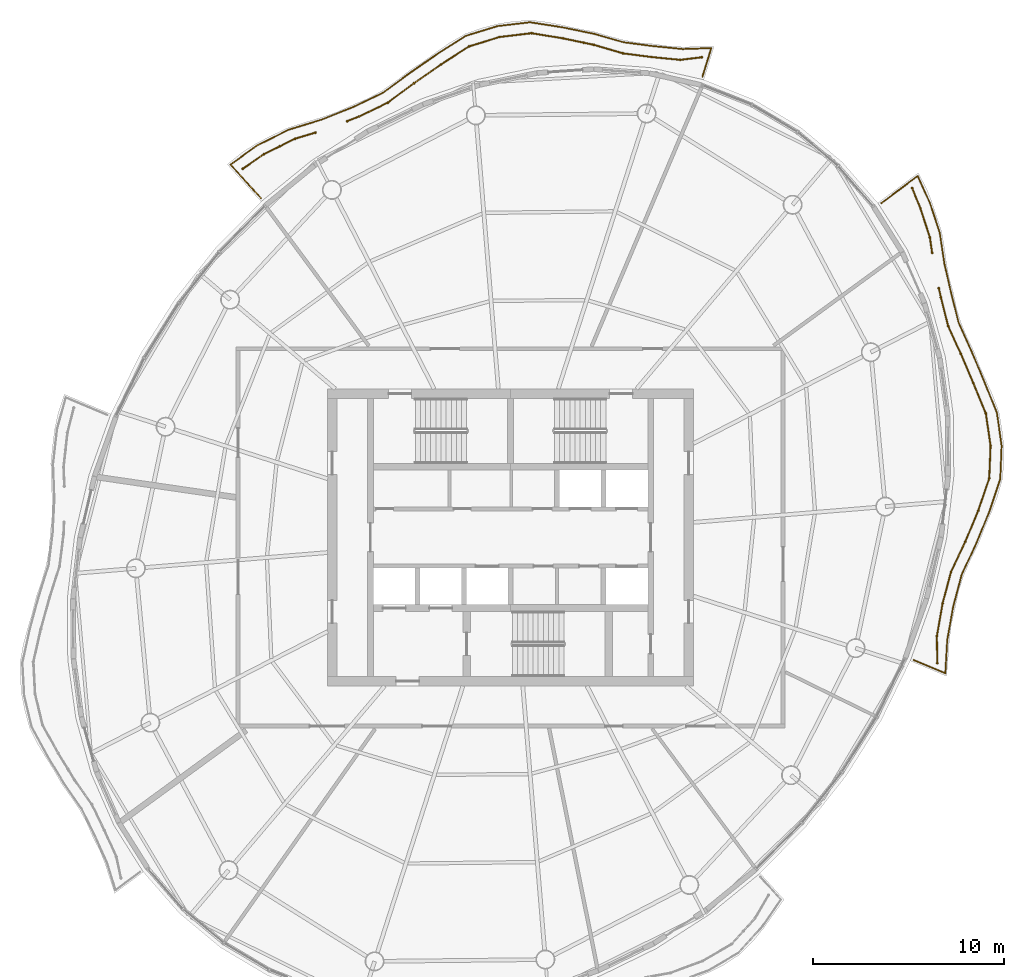
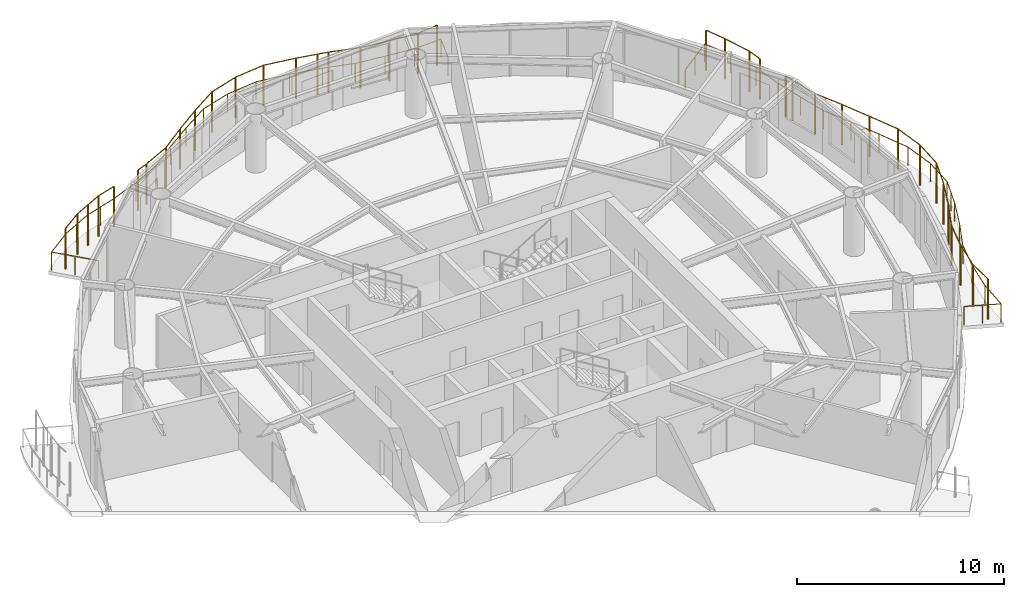
# One storey, part 14 of 14: 7 railings.
"""IFC4 building model written with IfcOpenShell, lengths in metres."""

from ifc_helpers import new_model, si_unit, direction, frame, origin, origin_2d, place, context, subcontext, project, spatial, circle, extrude, material, type_object, element, save


model = new_model("IFC4")

# Units and contexts
model_context = context("Model", 3, precision=1e-05, world=origin(), true_north=direction((0.0, 1.0)))
body_context = subcontext(model_context, "Body", "Model", "MODEL_VIEW")
ifc_project = project(units=[si_unit("LENGTHUNIT", "METRE"), si_unit("AREAUNIT", "SQUARE_METRE"), si_unit("VOLUMEUNIT", "CUBIC_METRE"), si_unit("PLANEANGLEUNIT", "RADIAN"), si_unit("MASSUNIT", "GRAM", prefix="KILO")], contexts=[model_context])

# Site, building, storey
site_placement = place(None, origin())
site = spatial("IfcSite", under=ifc_project, at=site_placement, CompositionType="ELEMENT")
building_placement = place(site_placement, origin())
building = spatial("IfcBuilding", under=site, at=building_placement, Name="Vermilion Reach Broadcast Tower", CompositionType="ELEMENT")
storey_placement = place(building_placement, frame((0.0, 0.0, 254.10009765625)))
storey = spatial("IfcBuildingStorey", under=building, at=storey_placement, Name="L62", CompositionType="ELEMENT", Elevation=254.10009765625)

# Railings
ifc_material_1 = material(Name="Terracotta baguette", Category="masonry")
railing_type_1 = type_object("IfcRailingType", Name="BAGUETTE SCREEN", PredefinedType="USERDEFINED", material=ifc_material_1)
railing_1_placement = place(storey_placement, frame((4.039794921875, 25.199462890625, 0.0)))
element("IfcRailing", 1, at=railing_1_placement, inside=storey, type_object=railing_type_1, Name="Baguette screen L62 group 1 part 1", ObjectType="BAGUETTE SCREEN", PredefinedType="USERDEFINED", context=body_context, shape_type="SweptSolid", body=[
    extrude(circle(Radius=0.030029296875, at=origin_2d()), frame((0.0, 0.0, 2.369873046875), z_axis=(-0.993009579326, -0.118033789092, 0.0), x_axis=(0.118033789092, -0.993009579326, 0.0)), (0.0, 0.0, 1.0), 1.152099609375),
    extrude(circle(Radius=0.030029296875, at=origin_2d()), frame((-1.14404296875, -0.135986328125, 2.369873046875), z_axis=(-0.995150822611, 0.098360765836, 0.0), x_axis=(-0.098360765836, -0.995150822611, 0.0)), (0.0, 0.0, 1.0), 1.501708984375),
    extrude(circle(Radius=0.030029296875, at=origin_2d()), frame((-2.638427734375, 0.01171875, 2.369873046875), z_axis=(-0.991822443646, 0.127625390421, 0.0), x_axis=(-0.127625390421, -0.991822443646, 0.0)), (0.0, 0.0, 1.0), 1.522705078125),
    extrude(circle(Radius=0.030029296875, at=origin_2d()), frame((-4.148681640625, 0.2060546875, 2.369873046875), z_axis=(-0.959764778915, 0.280805215682, 0.0), x_axis=(-0.280805215682, -0.959764778915, 0.0)), (0.0, 0.0, 1.0), 1.583251953125),
    extrude(circle(Radius=0.030029296875, at=origin_2d()), frame((-5.668212890625, 0.650634765625, 2.369873046875), z_axis=(-0.978236823349, 0.207491487643, 0.0), x_axis=(-0.207491487643, -0.978236823349, 0.0)), (0.0, 0.0, 1.0), 0.556640625),
    extrude(circle(Radius=0.050048828125, at=origin_2d()), origin(), (0.0, 0.0, 1.0), 2.33984375),
    extrude(circle(Radius=0.050048828125, at=origin_2d()), frame((-1.14404296875, -0.135986328125, 0.0)), (0.0, 0.0, 1.0), 2.33984375),
    extrude(circle(Radius=0.050048828125, at=origin_2d()), frame((-2.638427734375, 0.01171875, 0.0)), (0.0, 0.0, 1.0), 2.33984375),
    extrude(circle(Radius=0.050048828125, at=origin_2d()), frame((-4.148681640625, 0.2060546875, 0.0)), (0.0, 0.0, 1.0), 2.33984375),
    extrude(circle(Radius=0.050048828125, at=origin_2d()), frame((-5.668212890625, 0.650634765625, 0.0)), (0.0, 0.0, 1.0), 2.33984375),
    extrude(circle(Radius=0.050048828125, at=origin_2d()), frame((-6.212646484375, 0.76611328125, 0.0)), (0.0, 0.0, 1.0), 2.33984375),
])
railing_2_placement = place(storey_placement, frame((-2.18017578125, 25.967041015625, 0.0)))
element("IfcRailing", 2, at=railing_2_placement, inside=storey, type_object=railing_type_1, Name="Baguette screen L62 group 1 part 2", ObjectType="BAGUETTE SCREEN", PredefinedType="USERDEFINED", context=body_context, shape_type="SweptSolid", body=[
    extrude(circle(Radius=0.030029296875, at=origin_2d()), frame((0.0, 0.0, 2.369873046875), z_axis=(-0.978199475024, 0.207667491589, 0.0), x_axis=(-0.207667491589, -0.978199475024, 0.0)), (0.0, 0.0, 1.0), 1.083984375),
    extrude(circle(Radius=0.030029296875, at=origin_2d()), frame((-1.060302734375, 0.22509765625, 2.369873046875), z_axis=(-0.987102378471, 0.160090269586, 0.0), x_axis=(-0.160090269586, -0.987102378471, 0.0)), (0.0, 0.0, 1.0), 1.68212890625),
    extrude(circle(Radius=0.030029296875, at=origin_2d()), frame((-2.720703125, 0.494384765625, 2.369873046875), z_axis=(-0.993152582931, -0.116824428173, 0.0), x_axis=(0.116824428173, -0.993152582931, 0.0)), (0.0, 0.0, 1.0), 1.684326171875),
    extrude(circle(Radius=0.030029296875, at=origin_2d()), frame((-4.3935546875, 0.297607421875, 2.369873046875), z_axis=(-0.955283934346, -0.295690048497, 0.0), x_axis=(0.295690048497, -0.955283934346, 0.0)), (0.0, 0.0, 1.0), 1.678466796875),
    extrude(circle(Radius=0.030029296875, at=origin_2d()), frame((-5.9970703125, -0.19873046875, 2.369873046875), z_axis=(-0.842001870621, -0.539474605399, 0.0), x_axis=(0.539474605399, -0.842001870621, 0.0)), (0.0, 0.0, 1.0), 1.760986328125),
    extrude(circle(Radius=0.030029296875, at=origin_2d()), frame((-7.479736328125, -1.148681640625, 2.369873046875), z_axis=(-0.820319328101, -0.571905761418, 0.0), x_axis=(0.571905761418, -0.820319328101, 0.0)), (0.0, 0.0, 1.0), 1.717041015625),
    extrude(circle(Radius=0.030029296875, at=origin_2d()), frame((-8.88818359375, -2.130615234375, 2.369873046875), z_axis=(-0.803396122972, -0.59544493414, 0.0), x_axis=(0.59544493414, -0.803396122972, 0.0)), (0.0, 0.0, 1.0), 1.71875),
    extrude(circle(Radius=0.030029296875, at=origin_2d()), frame((-10.26904296875, -3.154052734375, 2.369873046875), z_axis=(-0.901335865011, -0.433120835847, 0.0), x_axis=(0.433120835847, -0.901335865011, 0.0)), (0.0, 0.0, 1.0), 1.669677734375),
    extrude(circle(Radius=0.030029296875, at=origin_2d()), frame((-11.77392578125, -3.877197265625, 2.369873046875), z_axis=(-0.929709912471, -0.368292653541, 0.0), x_axis=(0.368292653541, -0.929709912471, 0.0)), (0.0, 0.0, 1.0), 0.666259765625),
    extrude(circle(Radius=0.050048828125, at=origin_2d()), origin(), (0.0, 0.0, 1.0), 2.33984375),
    extrude(circle(Radius=0.050048828125, at=origin_2d()), frame((-1.060302734375, 0.22509765625, 0.0)), (0.0, 0.0, 1.0), 2.33984375),
    extrude(circle(Radius=0.050048828125, at=origin_2d()), frame((-2.720703125, 0.494384765625, 0.0)), (0.0, 0.0, 1.0), 2.33984375),
    extrude(circle(Radius=0.050048828125, at=origin_2d()), frame((-4.3935546875, 0.297607421875, 0.0)), (0.0, 0.0, 1.0), 2.33984375),
    extrude(circle(Radius=0.050048828125, at=origin_2d()), frame((-5.9970703125, -0.19873046875, 0.0)), (0.0, 0.0, 1.0), 2.33984375),
    extrude(circle(Radius=0.050048828125, at=origin_2d()), frame((-7.479736328125, -1.148681640625, 0.0)), (0.0, 0.0, 1.0), 2.33984375),
    extrude(circle(Radius=0.050048828125, at=origin_2d()), frame((-8.88818359375, -2.130615234375, 0.0)), (0.0, 0.0, 1.0), 2.33984375),
    extrude(circle(Radius=0.050048828125, at=origin_2d()), frame((-10.26904296875, -3.154052734375, 0.0)), (0.0, 0.0, 1.0), 2.33984375),
    extrude(circle(Radius=0.050048828125, at=origin_2d()), frame((-11.77392578125, -3.877197265625, 0.0)), (0.0, 0.0, 1.0), 2.33984375),
    extrude(circle(Radius=0.050048828125, at=origin_2d()), frame((-12.393310546875, -4.12255859375, 0.0)), (0.0, 0.0, 1.0), 2.33984375),
])
railing_3_placement = place(storey_placement, frame((-16.237060546875, 21.247802734375, 0.0)))
element("IfcRailing", 3, at=railing_3_placement, inside=storey, type_object=railing_type_1, Name="Baguette screen L62 group 1 part 3", ObjectType="BAGUETTE SCREEN", PredefinedType="USERDEFINED", context=body_context, shape_type="SweptSolid", body=[
    extrude(circle(Radius=0.030029296875, at=origin_2d()), frame((0.0, 0.0, 2.369873046875), z_axis=(-0.957053776285, -0.289910450481, 0.0), x_axis=(0.289910450481, -0.957053776285, 0.0)), (0.0, 0.0, 1.0), 1.118408203125),
    extrude(circle(Radius=0.030029296875, at=origin_2d()), frame((-1.0703125, -0.32421875, 2.369873046875), z_axis=(-0.896958968569, -0.442113796102, 0.0), x_axis=(0.442113796102, -0.896958968569, 0.0)), (0.0, 0.0, 1.0), 1.82177734375),
    extrude(circle(Radius=0.030029296875, at=origin_2d()), frame((-2.704345703125, -1.129638671875, 2.369873046875), z_axis=(-0.820710516024, -0.571344247269, 0.0), x_axis=(0.571344247269, -0.820710516024, 0.0)), (0.0, 0.0, 1.0), 1.35498046875),
    extrude(circle(Radius=0.050048828125, at=origin_2d()), origin(), (0.0, 0.0, 1.0), 2.33984375),
    extrude(circle(Radius=0.050048828125, at=origin_2d()), frame((-1.0703125, -0.32421875, 0.0)), (0.0, 0.0, 1.0), 2.33984375),
    extrude(circle(Radius=0.050048828125, at=origin_2d()), frame((-1.88720703125, -0.72705078125, 0.0)), (0.0, 0.0, 1.0), 2.33984375),
    extrude(circle(Radius=0.050048828125, at=origin_2d()), frame((-2.704345703125, -1.129638671875, 0.0)), (0.0, 0.0, 1.0), 2.33984375),
    extrude(circle(Radius=0.050048828125, at=origin_2d()), frame((-3.81640625, -1.90380859375, 0.0)), (0.0, 0.0, 1.0), 2.33984375),
])
railing_4_placement = place(storey_placement, frame((16.391845703125, -6.592041015625, 0.0)))
element("IfcRailing", 4, at=railing_4_placement, inside=storey, type_object=railing_type_1, Name="Baguette screen L62 group 4 part 1", ObjectType="BAGUETTE SCREEN", PredefinedType="USERDEFINED", context=body_context, shape_type="SweptSolid", body=[
    extrude(circle(Radius=0.030029296875, at=origin_2d()), frame((0.0, 0.0, 2.369873046875), z_axis=(-0.015752892713, 0.999875915487, 0.0), x_axis=(-0.999875915487, -0.015752892713, 0.0)), (0.0, 0.0, 1.0), 1.410400390625),
    extrude(circle(Radius=0.030029296875, at=origin_2d()), frame((-0.022216796875, 1.41015625, 2.369873046875), z_axis=(0.172569528152, 0.984997339059, 0.0), x_axis=(-0.984997339059, 0.172569528152, 0.0)), (0.0, 0.0, 1.0), 1.7529296875),
    extrude(circle(Radius=0.030029296875, at=origin_2d()), frame((0.2802734375, 3.13671875, 2.369873046875), z_axis=(0.257501840114, 0.966277808054, 0.0), x_axis=(-0.966277808054, 0.257501840114, 0.0)), (0.0, 0.0, 1.0), 1.700927734375),
    extrude(circle(Radius=0.030029296875, at=origin_2d()), frame((0.71826171875, 4.7802734375, 2.369873046875), z_axis=(0.427741407258, 0.903901149749, 0.0), x_axis=(-0.903901149749, 0.427741407258, 0.0)), (0.0, 0.0, 1.0), 1.764892578125),
    extrude(circle(Radius=0.030029296875, at=origin_2d()), frame((1.47314453125, 6.37548828125, 2.369873046875), z_axis=(0.384900773772, 0.922957959145, 0.0), x_axis=(-0.922957959145, 0.384900773772, 0.0)), (0.0, 0.0, 1.0), 1.761474609375),
    extrude(circle(Radius=0.030029296875, at=origin_2d()), frame((2.151123046875, 8.001220703125, 2.369873046875), z_axis=(0.321914970604, 0.946768584027, 0.0), x_axis=(-0.946768584027, 0.321914970604, 0.0)), (0.0, 0.0, 1.0), 1.788330078125),
    extrude(circle(Radius=0.030029296875, at=origin_2d()), frame((2.726806640625, 9.6943359375, 2.369873046875), z_axis=(0.040497647494, 0.999179633773, 0.0), x_axis=(-0.999179633773, 0.040497647494, 0.0)), (0.0, 0.0, 1.0), 1.712158203125),
    extrude(circle(Radius=0.030029296875, at=origin_2d()), frame((2.796142578125, 11.405029296875, 2.369873046875), z_axis=(-0.144755168567, 0.989467503849, 0.0), x_axis=(-0.989467503849, -0.144755168567, 0.0)), (0.0, 0.0, 1.0), 1.721923828125),
    extrude(circle(Radius=0.030029296875, at=origin_2d()), frame((2.546875, 13.10888671875, 2.369873046875), z_axis=(-0.382560515421, 0.923930436798, 0.0), x_axis=(-0.923930436798, -0.382560515421, 0.0)), (0.0, 0.0, 1.0), 1.7216796875),
    extrude(circle(Radius=0.030029296875, at=origin_2d()), frame((1.88818359375, 14.69970703125, 2.369873046875), z_axis=(-0.392102494072, 0.919921536949, 0.0), x_axis=(-0.919921536949, -0.392102494072, 0.0)), (0.0, 0.0, 1.0), 1.671142578125),
    extrude(circle(Radius=0.030029296875, at=origin_2d()), frame((1.23291015625, 16.237060546875, 2.369873046875), z_axis=(-0.416897645268, 0.908953438505, 0.0), x_axis=(-0.908953438505, -0.416897645268, 0.0)), (0.0, 0.0, 1.0), 1.591796875),
    extrude(circle(Radius=0.030029296875, at=origin_2d()), frame((0.5693359375, 17.683837890625, 2.369873046875), z_axis=(-0.244487053059, 0.969652556788, 0.0), x_axis=(-0.969652556788, -0.244487053059, 0.0)), (0.0, 0.0, 1.0), 1.559814453125),
    extrude(circle(Radius=0.030029296875, at=origin_2d()), frame((0.18798828125, 19.1962890625, 2.369873046875), z_axis=(-0.220479162119, 0.975391684951, 0.0), x_axis=(-0.975391684951, -0.220479162119, 0.0)), (0.0, 0.0, 1.0), 0.48046875),
    extrude(circle(Radius=0.050048828125, at=origin_2d()), origin(), (0.0, 0.0, 1.0), 2.33984375),
    extrude(circle(Radius=0.050048828125, at=origin_2d()), frame((-0.022216796875, 1.41015625, 0.0)), (0.0, 0.0, 1.0), 2.33984375),
    extrude(circle(Radius=0.050048828125, at=origin_2d()), frame((0.2802734375, 3.13671875, 0.0)), (0.0, 0.0, 1.0), 2.33984375),
    extrude(circle(Radius=0.050048828125, at=origin_2d()), frame((0.71826171875, 4.7802734375, 0.0)), (0.0, 0.0, 1.0), 2.33984375),
    extrude(circle(Radius=0.050048828125, at=origin_2d()), frame((1.47314453125, 6.37548828125, 0.0)), (0.0, 0.0, 1.0), 2.33984375),
    extrude(circle(Radius=0.050048828125, at=origin_2d()), frame((2.151123046875, 8.001220703125, 0.0)), (0.0, 0.0, 1.0), 2.33984375),
    extrude(circle(Radius=0.050048828125, at=origin_2d()), frame((2.726806640625, 9.6943359375, 0.0)), (0.0, 0.0, 1.0), 2.33984375),
    extrude(circle(Radius=0.050048828125, at=origin_2d()), frame((2.796142578125, 11.405029296875, 0.0)), (0.0, 0.0, 1.0), 2.33984375),
    extrude(circle(Radius=0.050048828125, at=origin_2d()), frame((2.546875, 13.10888671875, 0.0)), (0.0, 0.0, 1.0), 2.33984375),
    extrude(circle(Radius=0.050048828125, at=origin_2d()), frame((1.88818359375, 14.69970703125, 0.0)), (0.0, 0.0, 1.0), 2.33984375),
    extrude(circle(Radius=0.050048828125, at=origin_2d()), frame((1.23291015625, 16.237060546875, 0.0)), (0.0, 0.0, 1.0), 2.33984375),
    extrude(circle(Radius=0.050048828125, at=origin_2d()), frame((0.5693359375, 17.683837890625, 0.0)), (0.0, 0.0, 1.0), 2.33984375),
    extrude(circle(Radius=0.050048828125, at=origin_2d()), frame((0.18798828125, 19.1962890625, 0.0)), (0.0, 0.0, 1.0), 2.33984375),
    extrude(circle(Radius=0.050048828125, at=origin_2d()), frame((0.08203125, 19.6650390625, 0.0)), (0.0, 0.0, 1.0), 2.33984375),
])
railing_5_placement = place(storey_placement, frame((16.1201171875, 14.93798828125, 0.0)))
element("IfcRailing", 5, at=railing_5_placement, inside=storey, type_object=railing_type_1, Name="Baguette screen L62 group 4 part 2", ObjectType="BAGUETTE SCREEN", PredefinedType="USERDEFINED", context=body_context, shape_type="SweptSolid", body=[
    extrude(circle(Radius=0.030029296875, at=origin_2d()), frame((0.0, 0.0, 2.369873046875), z_axis=(-0.14277349759, 0.989755388157, 0.0), x_axis=(-0.989755388157, -0.14277349759, 0.0)), (0.0, 0.0, 1.0), 0.808837890625),
    extrude(circle(Radius=0.030029296875, at=origin_2d()), frame((-0.115478515625, 0.800537109375, 2.369873046875), z_axis=(-0.309891421312, 0.950771953203, 0.0), x_axis=(-0.950771953203, -0.309891421312, 0.0)), (0.0, 0.0, 1.0), 1.596923828125),
    extrude(circle(Radius=0.030029296875, at=origin_2d()), frame((-0.6103515625, 2.31884765625, 2.369873046875), z_axis=(-0.373373363579, 0.927681158249, 0.0), x_axis=(-0.927681158249, -0.373373363579, 0.0)), (0.0, 0.0, 1.0), 1.167236328125),
    extrude(circle(Radius=0.050048828125, at=origin_2d()), origin(), (0.0, 0.0, 1.0), 2.33984375),
    extrude(circle(Radius=0.050048828125, at=origin_2d()), frame((-0.115478515625, 0.800537109375, 0.0)), (0.0, 0.0, 1.0), 2.33984375),
    extrude(circle(Radius=0.050048828125, at=origin_2d()), frame((-0.6103515625, 2.31884765625, 0.0)), (0.0, 0.0, 1.0), 2.33984375),
    extrude(circle(Radius=0.050048828125, at=origin_2d()), frame((-1.046142578125, 3.401611328125, 0.0)), (0.0, 0.0, 1.0), 2.33984375),
])
ifc_material_2 = material(Name="Stainless steel 316 balustrade", Category="steel")
railing_type_2 = type_object("IfcRailingType", Name="Balcony guard 1100", PredefinedType="BALUSTRADE", material=ifc_material_2)
railing_6_placement = place(storey_placement, frame((4.070556640625, 24.186767578125, 0.0)))
element("IfcRailing", 6, at=railing_6_placement, inside=storey, type_object=railing_type_2, Name="Balcony guard L62 group 1", PredefinedType="BALUSTRADE", context=body_context, shape_type="SweptSolid", body=[
    extrude(circle(Radius=0.02490234375, at=origin_2d()), frame((0.0, 0.0, 1.0751953125), z_axis=(0.295829578601, 0.955240734278, 0.0), x_axis=(-0.955240734278, 0.295829578601, 0.0)), (0.0, 0.0, 1.0), 1.56396484375),
    extrude(circle(Radius=0.02490234375, at=origin_2d()), frame((0.462646484375, 1.493896484375, 1.0751953125), z_axis=(-0.999418033926, -0.034111485791, 0.0), x_axis=(0.034111485791, -0.999418033926, 0.0)), (0.0, 0.0, 1.0), 1.51025390625),
    extrude(circle(Radius=0.02490234375, at=origin_2d()), frame((-1.046630859375, 1.4423828125, 1.0751953125), z_axis=(-0.994917532519, 0.100693115382, 0.0), x_axis=(-0.100693115382, -0.994917532519, 0.0)), (0.0, 0.0, 1.0), 1.54443359375),
    extrude(circle(Radius=0.02490234375, at=origin_2d()), frame((-2.583251953125, 1.597900390625, 1.0751953125), z_axis=(-0.99187460402, 0.127219377064, 0.0), x_axis=(-0.127219377064, -0.99187460402, 0.0)), (0.0, 0.0, 1.0), 1.56591796875),
    extrude(circle(Radius=0.02490234375, at=origin_2d()), frame((-4.136474609375, 1.797119140625, 1.0751953125), z_axis=(-0.961506919384, 0.274780719805, 0.0), x_axis=(-0.274780719805, -0.961506919384, 0.0)), (0.0, 0.0, 1.0), 1.623291015625),
    extrude(circle(Radius=0.02490234375, at=origin_2d()), frame((-5.697265625, 2.2431640625, 1.0751953125), z_axis=(-0.979406603626, 0.201897758219, 0.0), x_axis=(-0.201897758219, -0.979406603626, 0.0)), (0.0, 0.0, 1.0), 1.68798828125),
    extrude(circle(Radius=0.02490234375, at=origin_2d()), frame((-7.3505859375, 2.583984375, 1.0751953125), z_axis=(-0.98804786433, 0.154147389838, 0.0), x_axis=(-0.154147389838, -0.98804786433, 0.0)), (0.0, 0.0, 1.0), 1.719970703125),
    extrude(circle(Radius=0.02490234375, at=origin_2d()), frame((-9.050048828125, 2.84912109375, 1.0751953125), z_axis=(-0.993013589646, -0.118000045674, 0.0), x_axis=(0.118000045674, -0.993013589646, 0.0)), (0.0, 0.0, 1.0), 1.723388671875),
    extrude(circle(Radius=0.02490234375, at=origin_2d()), frame((-10.761474609375, 2.645751953125, 1.0751953125), z_axis=(-0.955729772342, -0.294245819444, 0.0), x_axis=(0.294245819444, -0.955729772342, 0.0)), (0.0, 0.0, 1.0), 1.7158203125),
    extrude(circle(Radius=0.02490234375, at=origin_2d()), frame((-12.4013671875, 2.140869140625, 1.0751953125), z_axis=(-0.844945994684, -0.534851629957, 0.0), x_axis=(0.534851629957, -0.844945994684, 0.0)), (0.0, 0.0, 1.0), 1.796630859375),
    extrude(circle(Radius=0.02490234375, at=origin_2d()), frame((-13.91943359375, 1.179931640625, 1.0751953125), z_axis=(-0.823109435785, -0.567882784316, 0.0), x_axis=(0.567882784316, -0.823109435785, 0.0)), (0.0, 0.0, 1.0), 1.75146484375),
    extrude(circle(Radius=0.02490234375, at=origin_2d()), frame((-15.361083984375, 0.185302734375, 1.0751953125), z_axis=(-0.805975363943, -0.591949079496, 0.0), x_axis=(0.591949079496, -0.805975363943, 0.0)), (0.0, 0.0, 1.0), 1.753173828125),
    extrude(circle(Radius=0.02490234375, at=origin_2d()), frame((-16.774169921875, -0.8525390625, 1.0751953125), z_axis=(-0.901005819078, -0.433807000851, 0.0), x_axis=(0.433807000851, -0.901005819078, 0.0)), (0.0, 0.0, 1.0), 1.70361328125),
    extrude(circle(Radius=0.02490234375, at=origin_2d()), frame((-18.30908203125, -1.591552734375, 1.0751953125), z_axis=(-0.928581356876, -0.371128904376, 0.0), x_axis=(0.371128904376, -0.928581356876, 0.0)), (0.0, 0.0, 1.0), 1.768798828125),
    extrude(circle(Radius=0.02490234375, at=origin_2d()), frame((-19.95166015625, -2.248046875, 1.0751953125), z_axis=(-0.955461551131, -0.295115611771, 0.0), x_axis=(0.295115611771, -0.955461551131, 0.0)), (0.0, 0.0, 1.0), 1.848876953125),
    extrude(circle(Radius=0.02490234375, at=origin_2d()), frame((-21.71826171875, -2.793701171875, 1.0751953125), z_axis=(-0.895452118557, -0.445157840965, 0.0), x_axis=(0.445157840965, -0.895452118557, 0.0)), (0.0, 0.0, 1.0), 1.853759765625),
    extrude(circle(Radius=0.02490234375, at=origin_2d()), frame((-23.378173828125, -3.618896484375, 1.0751953125), z_axis=(-0.811159114971, -0.584825521159, 0.0), x_axis=(0.584825521159, -0.811159114971, 0.0)), (0.0, 0.0, 1.0), 1.716064453125),
    extrude(circle(Radius=0.02490234375, at=origin_2d()), frame((-24.770263671875, -4.62255859375, 1.0751953125), z_axis=(0.673271445844, -0.739395401805, 0.0), x_axis=(0.739395401805, 0.673271445844, 0.0)), (0.0, 0.0, 1.0), 2.3740234375),
    extrude(circle(Radius=0.02490234375, at=origin_2d()), origin(), (0.0, 0.0, 1.0), 1.050048828125),
    extrude(circle(Radius=0.02490234375, at=origin_2d()), frame((0.462646484375, 1.493896484375, 0.0)), (0.0, 0.0, 1.0), 1.050048828125),
    extrude(circle(Radius=0.02490234375, at=origin_2d()), frame((-1.046630859375, 1.4423828125, 0.0)), (0.0, 0.0, 1.0), 1.050048828125),
    extrude(circle(Radius=0.02490234375, at=origin_2d()), frame((-2.583251953125, 1.597900390625, 0.0)), (0.0, 0.0, 1.0), 1.050048828125),
    extrude(circle(Radius=0.02490234375, at=origin_2d()), frame((-4.136474609375, 1.797119140625, 0.0)), (0.0, 0.0, 1.0), 1.050048828125),
    extrude(circle(Radius=0.02490234375, at=origin_2d()), frame((-5.697265625, 2.2431640625, 0.0)), (0.0, 0.0, 1.0), 1.050048828125),
    extrude(circle(Radius=0.02490234375, at=origin_2d()), frame((-7.3505859375, 2.583984375, 0.0)), (0.0, 0.0, 1.0), 1.050048828125),
    extrude(circle(Radius=0.02490234375, at=origin_2d()), frame((-9.050048828125, 2.84912109375, 0.0)), (0.0, 0.0, 1.0), 1.050048828125),
    extrude(circle(Radius=0.02490234375, at=origin_2d()), frame((-10.761474609375, 2.645751953125, 0.0)), (0.0, 0.0, 1.0), 1.050048828125),
    extrude(circle(Radius=0.02490234375, at=origin_2d()), frame((-12.4013671875, 2.140869140625, 0.0)), (0.0, 0.0, 1.0), 1.050048828125),
    extrude(circle(Radius=0.02490234375, at=origin_2d()), frame((-13.91943359375, 1.179931640625, 0.0)), (0.0, 0.0, 1.0), 1.050048828125),
    extrude(circle(Radius=0.02490234375, at=origin_2d()), frame((-15.361083984375, 0.185302734375, 0.0)), (0.0, 0.0, 1.0), 1.050048828125),
    extrude(circle(Radius=0.02490234375, at=origin_2d()), frame((-16.774169921875, -0.8525390625, 0.0)), (0.0, 0.0, 1.0), 1.050048828125),
    extrude(circle(Radius=0.02490234375, at=origin_2d()), frame((-18.30908203125, -1.591552734375, 0.0)), (0.0, 0.0, 1.0), 1.050048828125),
    extrude(circle(Radius=0.02490234375, at=origin_2d()), frame((-19.95166015625, -2.248046875, 0.0)), (0.0, 0.0, 1.0), 1.050048828125),
    extrude(circle(Radius=0.02490234375, at=origin_2d()), frame((-20.8349609375, -2.52099609375, 0.0)), (0.0, 0.0, 1.0), 1.050048828125),
    extrude(circle(Radius=0.02490234375, at=origin_2d()), frame((-21.71826171875, -2.793701171875, 0.0)), (0.0, 0.0, 1.0), 1.050048828125),
    extrude(circle(Radius=0.02490234375, at=origin_2d()), frame((-22.54833984375, -3.206298828125, 0.0)), (0.0, 0.0, 1.0), 1.050048828125),
    extrude(circle(Radius=0.02490234375, at=origin_2d()), frame((-23.378173828125, -3.618896484375, 0.0)), (0.0, 0.0, 1.0), 1.050048828125),
    extrude(circle(Radius=0.02490234375, at=origin_2d()), frame((-24.770263671875, -4.62255859375, 0.0)), (0.0, 0.0, 1.0), 1.050048828125),
    extrude(circle(Radius=0.02490234375, at=origin_2d()), frame((-23.97119140625, -5.500244140625, 0.0)), (0.0, 0.0, 1.0), 1.050048828125),
    extrude(circle(Radius=0.02490234375, at=origin_2d()), frame((-23.171875, -6.3779296875, 0.0)), (0.0, 0.0, 1.0), 1.050048828125),
])
railing_7_placement = place(storey_placement, frame((15.154052734375, -6.427490234375, 0.0)))
element("IfcRailing", 7, at=railing_7_placement, inside=storey, type_object=railing_type_2, Name="Balcony guard L62 group 4", PredefinedType="BALUSTRADE", context=body_context, shape_type="SweptSolid", body=[
    extrude(circle(Radius=0.02490234375, at=origin_2d()), frame((0.0, 0.0, 1.0751953125), z_axis=(0.921344452562, -0.388747218297, 0.0), x_axis=(0.388747218297, 0.921344452562, 0.0)), (0.0, 0.0, 1.0), 1.802490234375),
    extrude(circle(Radius=0.02490234375, at=origin_2d()), frame((1.66064453125, -0.70068359375, 1.0751953125), z_axis=(0.057505795849, 0.998345172495, 0.0), x_axis=(-0.998345172495, 0.057505795849, 0.0)), (0.0, 0.0, 1.0), 1.75341796875),
    extrude(circle(Radius=0.02490234375, at=origin_2d()), frame((1.761474609375, 1.0498046875, 1.0751953125), z_axis=(0.175189470589, 0.984534737526, 0.0), x_axis=(-0.984534737526, 0.175189470589, 0.0)), (0.0, 0.0, 1.0), 1.78515625),
    extrude(circle(Radius=0.02490234375, at=origin_2d()), frame((2.07421875, 2.807373046875, 1.0751953125), z_axis=(0.257548712171, 0.966265315976, 0.0), x_axis=(-0.966265315976, 0.257548712171, 0.0)), (0.0, 0.0, 1.0), 1.73388671875),
    extrude(circle(Radius=0.02490234375, at=origin_2d()), frame((2.520751953125, 4.482666015625, 1.0751953125), z_axis=(0.423591648438, 0.905853252671, 0.0), x_axis=(-0.905853252671, 0.423591648438, 0.0)), (0.0, 0.0, 1.0), 1.797607421875),
    extrude(circle(Radius=0.02490234375, at=origin_2d()), frame((3.2822265625, 6.111083984375, 1.0751953125), z_axis=(0.380592391414, 0.924742900269, 0.0), x_axis=(-0.924742900269, 0.380592391414, 0.0)), (0.0, 0.0, 1.0), 1.794189453125),
    extrude(circle(Radius=0.02490234375, at=origin_2d()), frame((3.965087890625, 7.770263671875, 1.0751953125), z_axis=(0.317553386518, 0.948240395001, 0.0), x_axis=(-0.948240395001, 0.317553386518, 0.0)), (0.0, 0.0, 1.0), 1.82275390625),
    extrude(circle(Radius=0.02490234375, at=origin_2d()), frame((4.5439453125, 9.498779296875, 1.0751953125), z_axis=(0.04010196268, 0.999195592759, 0.0), x_axis=(-0.999195592759, 0.04010196268, 0.0)), (0.0, 0.0, 1.0), 1.747314453125),
    extrude(circle(Radius=0.02490234375, at=origin_2d()), frame((4.614013671875, 11.24462890625, 1.0751953125), z_axis=(-0.142528745235, 0.989790663111, 0.0), x_axis=(-0.989790663111, -0.142528745235, 0.0)), (0.0, 0.0, 1.0), 1.75927734375),
    extrude(circle(Radius=0.02490234375, at=origin_2d()), frame((4.36328125, 12.98583984375, 1.0751953125), z_axis=(-0.376988007111, 0.9262181398, 0.0), x_axis=(-0.9262181398, -0.376988007111, 0.0)), (0.0, 0.0, 1.0), 1.757568359375),
    extrude(circle(Radius=0.02490234375, at=origin_2d()), frame((3.70068359375, 14.61376953125, 1.0751953125), z_axis=(-0.387392759019, 0.921914773859, 0.0), x_axis=(-0.921914773859, -0.387392759019, 0.0)), (0.0, 0.0, 1.0), 1.709228515625),
    extrude(circle(Radius=0.02490234375, at=origin_2d()), frame((3.03857421875, 16.189453125, 1.0751953125), z_axis=(-0.412561480311, 0.910929758523, 0.0), x_axis=(-0.910929758523, -0.412561480311, 0.0)), (0.0, 0.0, 1.0), 1.63037109375),
    extrude(circle(Radius=0.02490234375, at=origin_2d()), frame((2.365966796875, 17.674560546875, 1.0751953125), z_axis=(-0.245978749541, 0.969275221376, 0.0), x_axis=(-0.969275221376, -0.245978749541, 0.0)), (0.0, 0.0, 1.0), 1.600830078125),
    extrude(circle(Radius=0.02490234375, at=origin_2d()), frame((1.97216796875, 19.226318359375, 1.0751953125), z_axis=(-0.224153521571, 0.974553846007, 0.0), x_axis=(-0.974553846007, -0.224153521571, 0.0)), (0.0, 0.0, 1.0), 1.59130859375),
    extrude(circle(Radius=0.02490234375, at=origin_2d()), frame((1.615478515625, 20.777099609375, 1.0751953125), z_axis=(-0.150265993675, 0.988645604423, 0.0), x_axis=(-0.988645604423, -0.150265993675, 0.0)), (0.0, 0.0, 1.0), 1.679931640625),
    extrude(circle(Radius=0.02490234375, at=origin_2d()), frame((1.363037109375, 22.43798828125, 1.0751953125), z_axis=(-0.315155202243, 0.949040145884, 0.0), x_axis=(-0.949040145884, -0.315155202243, 0.0)), (0.0, 0.0, 1.0), 1.63916015625),
    extrude(circle(Radius=0.02490234375, at=origin_2d()), frame((0.846435546875, 23.99365234375, 1.0751953125), z_axis=(-0.414520770029, 0.910039851443, 0.0), x_axis=(-0.910039851443, -0.414520770029, 0.0)), (0.0, 0.0, 1.0), 1.537109375),
    extrude(circle(Radius=0.02490234375, at=origin_2d()), frame((0.209228515625, 25.392578125, 1.0751953125), z_axis=(-0.802323594585, -0.596889310989, 0.0), x_axis=(0.596889310989, -0.802323594585, 0.0)), (0.0, 0.0, 1.0), 2.376708984375),
    extrude(circle(Radius=0.02490234375, at=origin_2d()), origin(), (0.0, 0.0, 1.0), 1.050048828125),
    extrude(circle(Radius=0.02490234375, at=origin_2d()), frame((0.830322265625, -0.350341796875, 0.0)), (0.0, 0.0, 1.0), 1.050048828125),
    extrude(circle(Radius=0.02490234375, at=origin_2d()), frame((1.66064453125, -0.70068359375, 0.0)), (0.0, 0.0, 1.0), 1.050048828125),
    extrude(circle(Radius=0.02490234375, at=origin_2d()), frame((1.761474609375, 1.0498046875, 0.0)), (0.0, 0.0, 1.0), 1.050048828125),
    extrude(circle(Radius=0.02490234375, at=origin_2d()), frame((2.07421875, 2.807373046875, 0.0)), (0.0, 0.0, 1.0), 1.050048828125),
    extrude(circle(Radius=0.02490234375, at=origin_2d()), frame((2.520751953125, 4.482666015625, 0.0)), (0.0, 0.0, 1.0), 1.050048828125),
    extrude(circle(Radius=0.02490234375, at=origin_2d()), frame((3.2822265625, 6.111083984375, 0.0)), (0.0, 0.0, 1.0), 1.050048828125),
    extrude(circle(Radius=0.02490234375, at=origin_2d()), frame((3.965087890625, 7.770263671875, 0.0)), (0.0, 0.0, 1.0), 1.050048828125),
    extrude(circle(Radius=0.02490234375, at=origin_2d()), frame((4.25439453125, 8.634521484375, 0.0)), (0.0, 0.0, 1.0), 1.050048828125),
    extrude(circle(Radius=0.02490234375, at=origin_2d()), frame((4.5439453125, 9.498779296875, 0.0)), (0.0, 0.0, 1.0), 1.050048828125),
    extrude(circle(Radius=0.02490234375, at=origin_2d()), frame((4.614013671875, 11.24462890625, 0.0)), (0.0, 0.0, 1.0), 1.050048828125),
    extrude(circle(Radius=0.02490234375, at=origin_2d()), frame((4.36328125, 12.98583984375, 0.0)), (0.0, 0.0, 1.0), 1.050048828125),
    extrude(circle(Radius=0.02490234375, at=origin_2d()), frame((3.70068359375, 14.61376953125, 0.0)), (0.0, 0.0, 1.0), 1.050048828125),
    extrude(circle(Radius=0.02490234375, at=origin_2d()), frame((3.03857421875, 16.189453125, 0.0)), (0.0, 0.0, 1.0), 1.050048828125),
    extrude(circle(Radius=0.02490234375, at=origin_2d()), frame((2.365966796875, 17.674560546875, 0.0)), (0.0, 0.0, 1.0), 1.050048828125),
    extrude(circle(Radius=0.02490234375, at=origin_2d()), frame((1.97216796875, 19.226318359375, 0.0)), (0.0, 0.0, 1.0), 1.050048828125),
    extrude(circle(Radius=0.02490234375, at=origin_2d()), frame((1.615478515625, 20.777099609375, 0.0)), (0.0, 0.0, 1.0), 1.050048828125),
    extrude(circle(Radius=0.02490234375, at=origin_2d()), frame((1.363037109375, 22.43798828125, 0.0)), (0.0, 0.0, 1.0), 1.050048828125),
    extrude(circle(Radius=0.02490234375, at=origin_2d()), frame((0.846435546875, 23.99365234375, 0.0)), (0.0, 0.0, 1.0), 1.050048828125),
    extrude(circle(Radius=0.02490234375, at=origin_2d()), frame((0.209228515625, 25.392578125, 0.0)), (0.0, 0.0, 1.0), 1.050048828125),
    extrude(circle(Radius=0.02490234375, at=origin_2d()), frame((-0.744140625, 24.68310546875, 0.0)), (0.0, 0.0, 1.0), 1.050048828125),
    extrude(circle(Radius=0.02490234375, at=origin_2d()), frame((-1.69775390625, 23.973876953125, 0.0)), (0.0, 0.0, 1.0), 1.050048828125),
])

save(model, "model.ifc")
